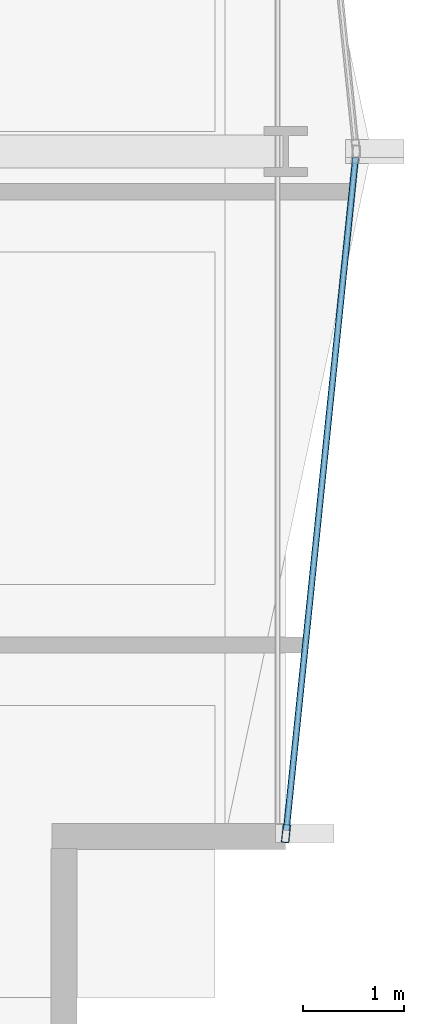
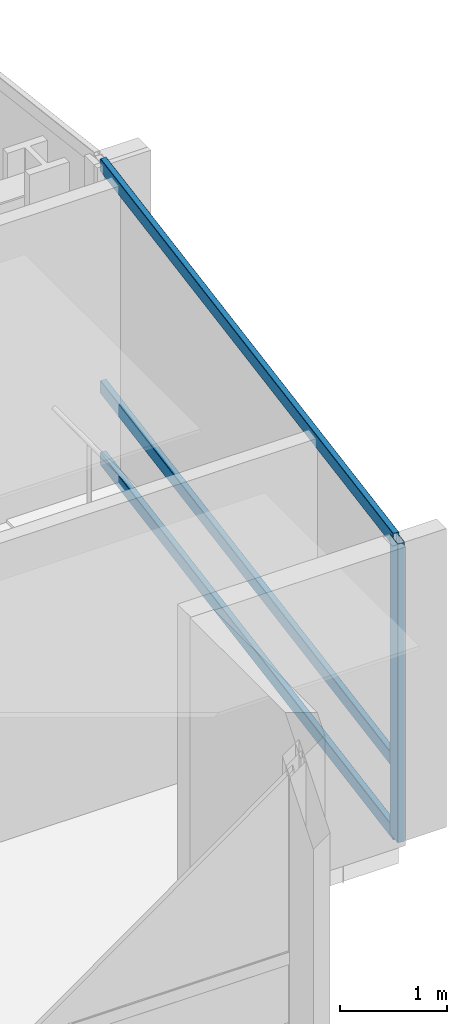
# One storey, part 13 of 34: 4 members, 1 element without a shape of its own.
"""IFC4 building model written with IfcOpenShell, lengths in metres."""

from ifc_helpers import new_model, si_unit, direction, frame, origin, origin_2d, place, context, subcontext, project, spatial, hollow_rectangle, extrude, material, layer, layer_set, material_profile, profile_set, type_object, element, aggregate, save


model = new_model("IFC4")

# Units and contexts
model_context = context("Model", 3, precision=1e-05, world=origin(), true_north=direction((0.0, 1.0)))
body_context = subcontext(model_context, "Body", "Model", "MODEL_VIEW")
ifc_project = project(units=[si_unit("LENGTHUNIT", "METRE"), si_unit("AREAUNIT", "SQUARE_METRE"), si_unit("VOLUMEUNIT", "CUBIC_METRE"), si_unit("PLANEANGLEUNIT", "RADIAN"), si_unit("MASSUNIT", "GRAM", prefix="KILO")], contexts=[model_context])

# Site, building, storey
site_placement = place(None, origin())
site = spatial("IfcSite", under=ifc_project, at=site_placement, CompositionType="ELEMENT")
building_placement = place(site_placement, origin())
building = spatial("IfcBuilding", under=site, at=building_placement, Name="Solvaryn Broadcast Tower", CompositionType="ELEMENT")
storey_placement = place(building_placement, frame((0.0, 0.0, 50.800048828125)))
storey = spatial("IfcBuildingStorey", under=building, at=storey_placement, Name="L11", CompositionType="ELEMENT", Elevation=50.800048828125)

# Curtain wall, members
ifc_material_1 = material(Name="Aluminium and Terracotta Unitised Curtain Wall", Category="masonry")
ifc_layer = layer(ifc_material_1, 0.199951171875)
ifc_layer_set = layer_set([ifc_layer], Name="CW-SYS2-LOWMID")
curtain_wall_type = type_object("IfcCurtainWallType", Name="CW-SYS2-LOWMID", PredefinedType="NOTDEFINED", material=ifc_layer_set)
curtain_wall_placement = place(storey_placement, origin())
curtain_wall = element("IfcCurtainWall", 1, at=curtain_wall_placement, inside=storey, type_object=curtain_wall_type, Name="L11 Curtain Wall ET2", PredefinedType="NOTDEFINED")
ifc_material_2 = material(Name="Anodised Aluminium 6063-T6", Category="aluminium")
ifc_material_profile_1 = material_profile(ifc_material_2, hollow_rectangle(XDim=0.074951171875, YDim=0.179931640625, WallThickness=0.00390625, InnerFilletRadius=0.00390625, OuterFilletRadius=0.008056640625, at=origin_2d()))
ifc_profile_set_1 = profile_set([ifc_material_profile_1], Name="Anodised Aluminium 6063-T6")
member_type_1 = type_object("IfcMemberType", Name="CW-MUL-180", PredefinedType="MULLION", material=ifc_profile_set_1)
member_1_placement = place(storey_placement, frame((63.003173828125, 11.229736328125, 0.0), z_axis=(0.0, 0.0, 1.0), x_axis=(0.99474329889, -0.10240004548, 0.0)))
member_1 = element("IfcMember", 2, at=member_1_placement, type_object=member_type_1, Name="CWS2 mullion 2", PredefinedType="MULLION", context=body_context, shape_type="SweptSolid", body=[
    extrude(hollow_rectangle(XDim=0.074951171875, YDim=0.179931640625, WallThickness=0.00390625, InnerFilletRadius=0.00390625, OuterFilletRadius=0.008056640625, at=origin_2d()), origin(), (0.0, 0.0, 1.0), 3.419921875),
])
ifc_material_3 = material(Name="Anodised Aluminium 6063-T6", Category="aluminium")
ifc_material_profile_2 = material_profile(ifc_material_3, hollow_rectangle(XDim=0.06494140625, YDim=0.14990234375, WallThickness=0.00390625, InnerFilletRadius=0.00390625, OuterFilletRadius=0.008056640625, at=origin_2d()))
ifc_profile_set_2 = profile_set([ifc_material_profile_2], Name="Anodised Aluminium 6063-T6")
member_type_2 = type_object("IfcMemberType", Name="CW-TRN-150", PredefinedType="USERDEFINED", material=ifc_profile_set_2)
member_2_placement = place(storey_placement, frame((63.69384765625, 17.9404296875, 0.030029296875), z_axis=(-0.102404277363, -0.994742863245, 0.0), x_axis=(0.994742863245, -0.102404277363, 0.0)))
member_2 = element("IfcMember", 3, at=member_2_placement, type_object=member_type_2, Name="CWS2 transom 1.1", ObjectType="TRANSOM", PredefinedType="USERDEFINED", context=body_context, shape_type="SweptSolid", body=[
    extrude(hollow_rectangle(XDim=0.06494140625, YDim=0.14990234375, WallThickness=0.00390625, InnerFilletRadius=0.00390625, OuterFilletRadius=0.008056640625, at=origin_2d()), origin(), (0.0, 0.0, 1.0), 6.716064453125),
])
member_3_placement = place(storey_placement, frame((63.69384765625, 17.9404296875, 0.849853515625), z_axis=(-0.102404277363, -0.994742863245, 0.0), x_axis=(0.994742863245, -0.102404277363, 0.0)))
member_3 = element("IfcMember", 4, at=member_3_placement, type_object=member_type_2, Name="CWS2 transom 1.2", ObjectType="TRANSOM", PredefinedType="USERDEFINED", context=body_context, shape_type="SweptSolid", body=[
    extrude(hollow_rectangle(XDim=0.06494140625, YDim=0.14990234375, WallThickness=0.00390625, InnerFilletRadius=0.00390625, OuterFilletRadius=0.008056640625, at=origin_2d()), origin(), (0.0, 0.0, 1.0), 6.716064453125),
])
member_4_placement = place(storey_placement, frame((63.69384765625, 17.9404296875, 3.389892578125), z_axis=(-0.102404277363, -0.994742863245, 0.0), x_axis=(0.994742863245, -0.102404277363, 0.0)))
member_4 = element("IfcMember", 5, at=member_4_placement, type_object=member_type_2, Name="CWS2 transom 1.3", ObjectType="TRANSOM", PredefinedType="USERDEFINED", context=body_context, shape_type="SweptSolid", body=[
    extrude(hollow_rectangle(XDim=0.06494140625, YDim=0.14990234375, WallThickness=0.00390625, InnerFilletRadius=0.00390625, OuterFilletRadius=0.008056640625, at=origin_2d()), origin(), (0.0, 0.0, 1.0), 6.716064453125),
])
aggregate(curtain_wall, [member_1, member_2, member_3, member_4])

save(model, "model.ifc")
